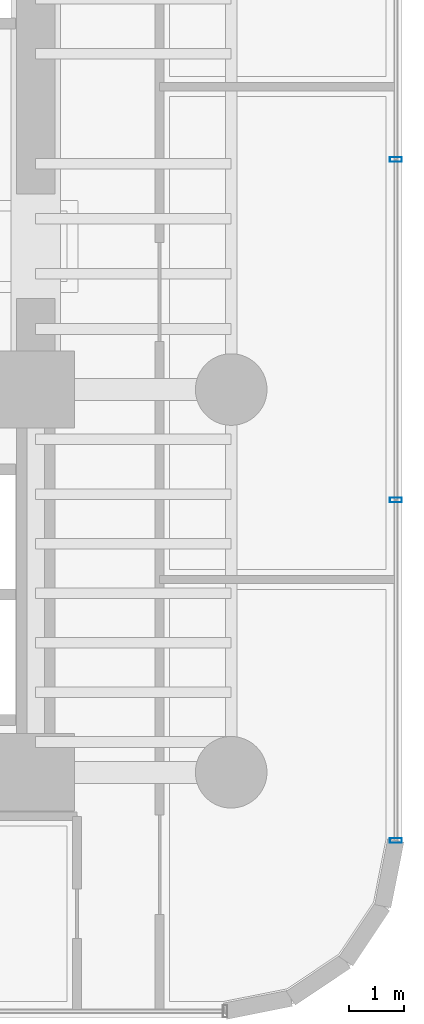
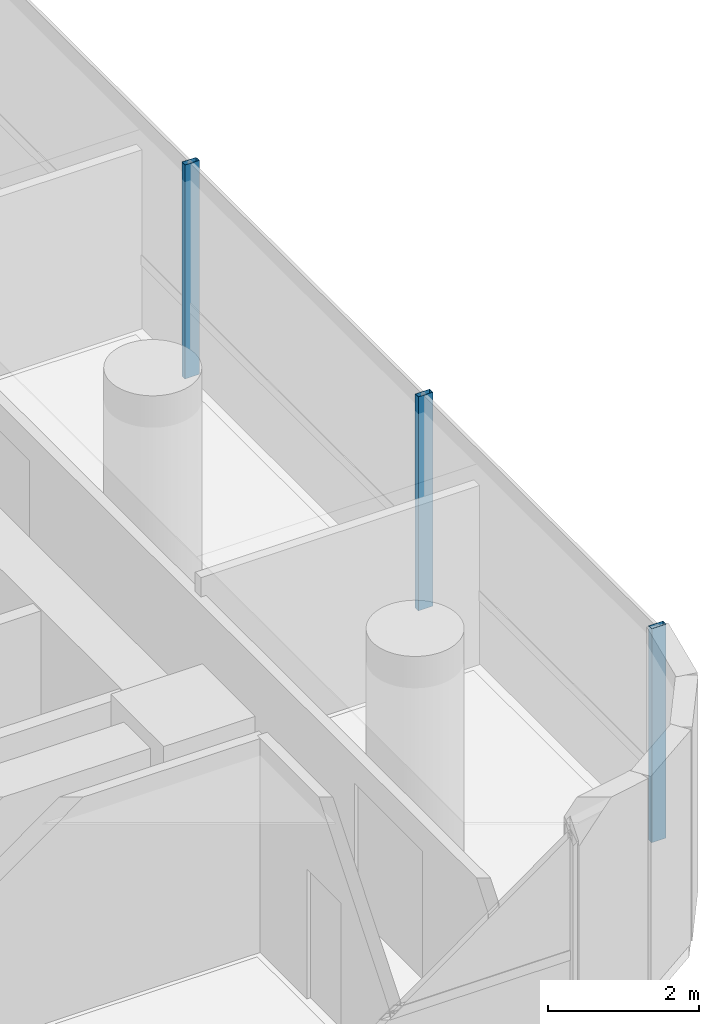
# One storey, part 26 of 40: 3 members, 1 element without a shape of its own.
"""IFC4 building model written with IfcOpenShell, lengths in metres."""

from ifc_helpers import new_model, si_unit, direction, frame, origin, origin_2d, place, context, subcontext, project, spatial, hollow_rectangle, extrude, source, transform, mapped, material, material_profile, profile_set, type_object, element, aggregate, save


model = new_model("IFC4")

# Units and contexts
model_context = context("Model", 3, precision=1e-05, world=origin(), true_north=direction((0.0, 1.0)))
body_context = subcontext(model_context, "Body", "Model", "MODEL_VIEW")
ifc_project = project(units=[si_unit("LENGTHUNIT", "METRE"), si_unit("AREAUNIT", "SQUARE_METRE"), si_unit("VOLUMEUNIT", "CUBIC_METRE"), si_unit("PLANEANGLEUNIT", "RADIAN"), si_unit("MASSUNIT", "GRAM", prefix="KILO")], contexts=[model_context])

# Site, building, storey
site_placement = place(None, origin())
site = spatial("IfcSite", under=ifc_project, at=site_placement, CompositionType="ELEMENT")
building_placement = place(site_placement, origin())
building = spatial("IfcBuilding", under=site, at=building_placement, Name="Valdorenza Pilgrim Sanctuary Tower", CompositionType="ELEMENT")
storey_placement = place(building_placement, frame((0.0, 0.0, 81.5)))
storey = spatial("IfcBuildingStorey", under=building, at=storey_placement, Name="L20", CompositionType="ELEMENT", Elevation=81.5)

# Curtain wall, members
ifc_material_1 = material(Name="Curtain-wall IGU glazing", Category="glass")
curtain_wall_type = type_object("IfcCurtainWallType", Name="CW-SYS-03", PredefinedType="NOTDEFINED", material=ifc_material_1)
curtain_wall_placement = place(storey_placement, origin())
curtain_wall = element("IfcCurtainWall", 1, at=curtain_wall_placement, inside=storey, type_object=curtain_wall_type, Name="L20 Curtain Wall CW-L20-1-21", PredefinedType="NOTDEFINED")
ifc_material_2 = material(Name="Anodised aluminium AW-6060", Category="aluminium")
ifc_material_profile = material_profile(ifc_material_2, hollow_rectangle(XDim=0.0849609375, YDim=0.219970703125, WallThickness=0.0048828125, at=origin_2d()), Name="ALU-M 220x85x5")
ifc_profile_set = profile_set([ifc_material_profile], Name="Anodised aluminium AW-6060")
member_type = type_object("IfcMemberType", Name="CW-MUL-03", PredefinedType="MULLION", material=ifc_profile_set)
shared_shape = source(origin(), body_context, "Body", "SweptSolid", [
    extrude(hollow_rectangle(XDim=0.0849609375, YDim=0.219970703125, WallThickness=0.0048828125, at=origin_2d()), origin(), (0.0, 0.0, 1.0), 3.4599609375),
])
member_1_placement = place(storey_placement, frame((31.389892578125, 1.577880859375, 0.0), z_axis=(0.0, 0.0, 1.0), x_axis=(0.0, -1.0, 0.0)))
member_1 = element("IfcMember", 2, at=member_1_placement, type_object=member_type, Name="CW-L20-1-21 Mullion 3", PredefinedType="MULLION", context=body_context, shape_type="MappedRepresentation", body=[
    mapped(shared_shape, transform((0.0, 0.0, 0.0), x_axis=(1.0, 0.0, 0.0), y_axis=(0.0, 1.0, 0.0), z_axis=(0.0, 0.0, 1.0), scale=1.0)),
])
member_2_placement = place(storey_placement, frame((31.389892578125, -4.605712890625, 0.0), z_axis=(0.0, 0.0, 1.0), x_axis=(0.0, -1.0, 0.0)))
member_2 = element("IfcMember", 3, at=member_2_placement, type_object=member_type, Name="CW-L20-1-21 Mullion 4", PredefinedType="MULLION", context=body_context, shape_type="MappedRepresentation", body=[
    mapped(shared_shape, transform((0.0, 0.0, 0.0), x_axis=(1.0, 0.0, 0.0), y_axis=(0.0, 1.0, 0.0), z_axis=(0.0, 0.0, 1.0), scale=1.0)),
])
member_3_placement = place(storey_placement, frame((31.389892578125, -10.789306640625, 0.0), z_axis=(0.0, 0.0, 1.0), x_axis=(0.0, -1.0, 0.0)))
member_3 = element("IfcMember", 4, at=member_3_placement, type_object=member_type, Name="CW-L20-1-21 Mullion 5", PredefinedType="MULLION", context=body_context, shape_type="MappedRepresentation", body=[
    mapped(shared_shape, transform((0.0, 0.0, 0.0), x_axis=(1.0, 0.0, 0.0), y_axis=(0.0, 1.0, 0.0), z_axis=(0.0, 0.0, 1.0), scale=1.0)),
])
aggregate(curtain_wall, [member_1, member_2, member_3])

save(model, "model.ifc")
